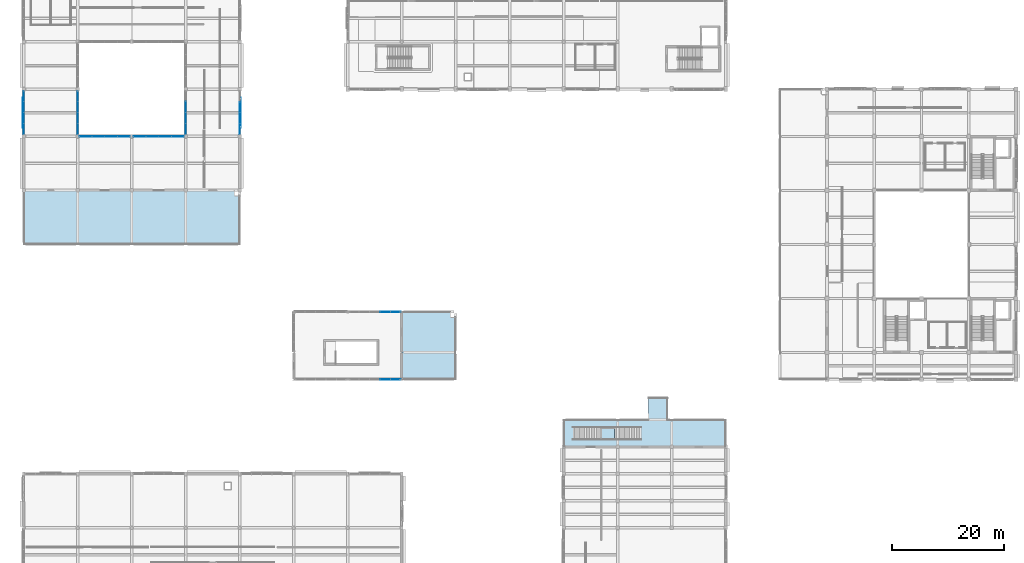
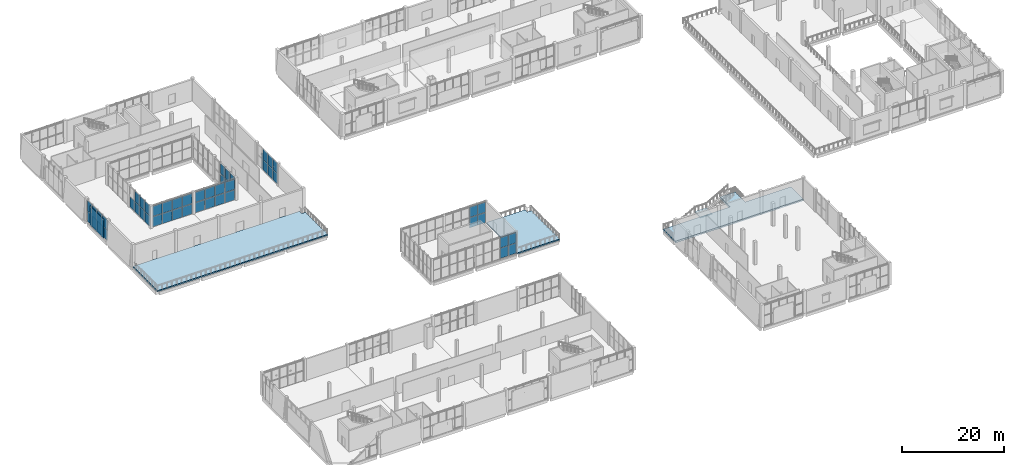
# One storey, part 46 of 83: 53 plates, 4 slabs, 9 elements without a shape of their own.
"""IFC4 building model written with IfcOpenShell, lengths in metres."""

from ifc_helpers import new_model, si_unit, direction, frame, origin, origin_2d, place, context, subcontext, project, spatial, polyline, rectangle, outline, extrude, material, layer, layer_set, type_object, element, aggregate, save


model = new_model("IFC4")

# Units and contexts
model_context = context("Model", 3, precision=1e-05, world=origin(), true_north=direction((0.0, 1.0)))
body_context = subcontext(model_context, "Body", "Model", "MODEL_VIEW")
ifc_project = project(units=[si_unit("LENGTHUNIT", "METRE"), si_unit("AREAUNIT", "SQUARE_METRE"), si_unit("VOLUMEUNIT", "CUBIC_METRE"), si_unit("PLANEANGLEUNIT", "RADIAN"), si_unit("MASSUNIT", "GRAM", prefix="KILO")], contexts=[model_context])

# Site, building, storey
site_placement = place(None, origin())
site = spatial("IfcSite", under=ifc_project, at=site_placement, CompositionType="ELEMENT")
building_placement = place(site_placement, origin())
building = spatial("IfcBuilding", under=site, at=building_placement, Name="Shalvenor Court Art Gallery", CompositionType="ELEMENT")
storey_placement = place(building_placement, frame((0.0, 0.0, 6.0)))
storey = spatial("IfcBuildingStorey", under=building, at=storey_placement, Name="L01", CompositionType="ELEMENT", Elevation=6.0)

# Curtain wall, plates
ifc_material_1 = material(Name="Anodised aluminium and low-iron glass curtain wall", Category="aluminium")
curtain_wall_type_1 = type_object("IfcCurtainWallType", Name="CW-4x2-78-51-441", PredefinedType="USERDEFINED", material=ifc_material_1)
curtain_wall_1_placement = place(storey_placement, origin())
curtain_wall_1 = element("IfcCurtainWall", 1, at=curtain_wall_1_placement, inside=storey, type_object=curtain_wall_type_1, Name="L01 V5 Curtain Wall CW-L01-170", ObjectType="CURTAIN WALL", PredefinedType="USERDEFINED")
ifc_material_2 = material(Name="Low-iron UV-laminated double glazing IGU", Category="glass")
ifc_layer_1 = layer(ifc_material_2, 0.028076171875, Name="Low-iron UV-laminated double glazing IGU")
ifc_layer_set_1 = layer_set([ifc_layer_1], Name="Low-iron UV-laminated double glazing IGU")
plate_type_1 = type_object("IfcPlateType", Name="CWP-01", PredefinedType="CURTAIN_PANEL", material=ifc_layer_set_1)
plate_1_placement = place(storey_placement, frame((38.39990234375, 93.97509765625, 0.070068359375), z_axis=(0.0, 0.0, 1.0), x_axis=(0.0, -1.0, 0.0)))
plate_1 = element("IfcPlate", 2, at=plate_1_placement, type_object=plate_type_1, Name="CW-4x2-78-51-441 panel 2.1", PredefinedType="CURTAIN_PANEL", context=body_context, shape_type="SweptSolid", body=[
    extrude(rectangle(XDim=1.875, YDim=0.028076171875, at=origin_2d()), origin(), (0.0, 0.0, 1.0), 2.43505859375),
])
plate_2_placement = place(storey_placement, frame((38.39990234375, 93.97509765625, 2.574951171875), z_axis=(0.0, 0.0, 1.0), x_axis=(0.0, -1.0, 0.0)))
plate_2 = element("IfcPlate", 3, at=plate_2_placement, type_object=plate_type_1, Name="CW-4x2-78-51-441 panel 2.2", PredefinedType="CURTAIN_PANEL", context=body_context, shape_type="SweptSolid", body=[
    extrude(rectangle(XDim=1.875, YDim=0.028076171875, at=origin_2d()), origin(), (0.0, 0.0, 1.0), 2.43505859375),
])
plate_3_placement = place(storey_placement, frame((38.39990234375, 92.02490234375, 0.070068359375), z_axis=(0.0, 0.0, 1.0), x_axis=(0.0, -1.0, 0.0)))
plate_3 = element("IfcPlate", 4, at=plate_3_placement, type_object=plate_type_1, Name="CW-4x2-78-51-441 panel 3.1", PredefinedType="CURTAIN_PANEL", context=body_context, shape_type="SweptSolid", body=[
    extrude(rectangle(XDim=1.875, YDim=0.028076171875, at=origin_2d()), origin(), (0.0, 0.0, 1.0), 2.43505859375),
])
plate_4_placement = place(storey_placement, frame((38.39990234375, 92.02490234375, 2.574951171875), z_axis=(0.0, 0.0, 1.0), x_axis=(0.0, -1.0, 0.0)))
plate_4 = element("IfcPlate", 5, at=plate_4_placement, type_object=plate_type_1, Name="CW-4x2-78-51-441 panel 3.2", PredefinedType="CURTAIN_PANEL", context=body_context, shape_type="SweptSolid", body=[
    extrude(rectangle(XDim=1.875, YDim=0.028076171875, at=origin_2d()), origin(), (0.0, 0.0, 1.0), 2.43505859375),
])
plate_5_placement = place(storey_placement, frame((38.39990234375, 90.09375, 0.070068359375), z_axis=(0.0, 0.0, 1.0), x_axis=(0.0, -1.0, 0.0)))
plate_5 = element("IfcPlate", 6, at=plate_5_placement, type_object=plate_type_1, Name="CW-4x2-78-51-441 panel 4.1", PredefinedType="CURTAIN_PANEL", context=body_context, shape_type="SweptSolid", body=[
    extrude(rectangle(XDim=1.83740234375, YDim=0.028076171875, at=origin_2d()), origin(), (0.0, 0.0, 1.0), 2.43505859375),
])
plate_6_placement = place(storey_placement, frame((38.39990234375, 90.09375, 2.574951171875), z_axis=(0.0, 0.0, 1.0), x_axis=(0.0, -1.0, 0.0)))
plate_6 = element("IfcPlate", 7, at=plate_6_placement, type_object=plate_type_1, Name="CW-4x2-78-51-441 panel 4.2", PredefinedType="CURTAIN_PANEL", context=body_context, shape_type="SweptSolid", body=[
    extrude(rectangle(XDim=1.83740234375, YDim=0.028076171875, at=origin_2d()), origin(), (0.0, 0.0, 1.0), 2.43505859375),
])
aggregate(curtain_wall_1, [plate_1, plate_2, plate_3, plate_4, plate_5, plate_6])

ifc_material_3 = material(Name="Anodised aluminium and low-iron glass curtain wall", Category="aluminium")
curtain_wall_type_2 = type_object("IfcCurtainWallType", Name="CW-4x2-78-51-611", PredefinedType="USERDEFINED", material=ifc_material_3)
curtain_wall_2_placement = place(storey_placement, origin())
curtain_wall_2 = element("IfcCurtainWall", 8, at=curtain_wall_2_placement, inside=storey, type_object=curtain_wall_type_2, Name="L01 V5 Curtain Wall CW-L01-171", ObjectType="CURTAIN WALL", PredefinedType="USERDEFINED")
plate_7_placement = place(storey_placement, frame((0.0, 90.0888671875, 0.06005859375), z_axis=(0.0, 0.0, 1.0), x_axis=(0.0, 1.0, 0.0)))
plate_7 = element("IfcPlate", 9, at=plate_7_placement, type_object=plate_type_1, Name="CW-4x2-78-51-611 panel 1.1", PredefinedType="CURTAIN_PANEL", context=body_context, shape_type="SweptSolid", body=[
    extrude(rectangle(XDim=1.867431640625, YDim=0.028076171875, at=origin_2d()), origin(), (0.0, 0.0, 1.0), 2.449951171875),
])
plate_8_placement = place(storey_placement, frame((0.0, 90.0888671875, 2.56982421875), z_axis=(0.0, 0.0, 1.0), x_axis=(0.0, 1.0, 0.0)))
plate_8 = element("IfcPlate", 10, at=plate_8_placement, type_object=plate_type_1, Name="CW-4x2-78-51-611 panel 1.2", PredefinedType="CURTAIN_PANEL", context=body_context, shape_type="SweptSolid", body=[
    extrude(rectangle(XDim=1.867431640625, YDim=0.028076171875, at=origin_2d()), origin(), (0.0, 0.0, 1.0), 2.449951171875),
])
plate_9_placement = place(storey_placement, frame((0.0, 92.02490234375, 0.06005859375), z_axis=(0.0, 0.0, 1.0), x_axis=(0.0, 1.0, 0.0)))
plate_9 = element("IfcPlate", 11, at=plate_9_placement, type_object=plate_type_1, Name="CW-4x2-78-51-611 panel 2.1", PredefinedType="CURTAIN_PANEL", context=body_context, shape_type="SweptSolid", body=[
    extrude(rectangle(XDim=1.89501953125, YDim=0.028076171875, at=origin_2d()), origin(), (0.0, 0.0, 1.0), 2.449951171875),
])
plate_10_placement = place(storey_placement, frame((0.0, 92.02490234375, 2.56982421875), z_axis=(0.0, 0.0, 1.0), x_axis=(0.0, 1.0, 0.0)))
plate_10 = element("IfcPlate", 12, at=plate_10_placement, type_object=plate_type_1, Name="CW-4x2-78-51-611 panel 2.2", PredefinedType="CURTAIN_PANEL", context=body_context, shape_type="SweptSolid", body=[
    extrude(rectangle(XDim=1.89501953125, YDim=0.028076171875, at=origin_2d()), origin(), (0.0, 0.0, 1.0), 2.449951171875),
])
plate_11_placement = place(storey_placement, frame((0.0, 93.97509765625, 0.06005859375), z_axis=(0.0, 0.0, 1.0), x_axis=(0.0, 1.0, 0.0)))
plate_11 = element("IfcPlate", 13, at=plate_11_placement, type_object=plate_type_1, Name="CW-4x2-78-51-611 panel 3.1", PredefinedType="CURTAIN_PANEL", context=body_context, shape_type="SweptSolid", body=[
    extrude(rectangle(XDim=1.89501953125, YDim=0.028076171875, at=origin_2d()), origin(), (0.0, 0.0, 1.0), 2.449951171875),
])
plate_12_placement = place(storey_placement, frame((0.0, 93.97509765625, 2.56982421875), z_axis=(0.0, 0.0, 1.0), x_axis=(0.0, 1.0, 0.0)))
plate_12 = element("IfcPlate", 14, at=plate_12_placement, type_object=plate_type_1, Name="CW-4x2-78-51-611 panel 3.2", PredefinedType="CURTAIN_PANEL", context=body_context, shape_type="SweptSolid", body=[
    extrude(rectangle(XDim=1.89501953125, YDim=0.028076171875, at=origin_2d()), origin(), (0.0, 0.0, 1.0), 2.449951171875),
])
plate_13_placement = place(storey_placement, frame((0.0, 95.9111328125, 0.06005859375), z_axis=(0.0, 0.0, 1.0), x_axis=(0.0, 1.0, 0.0)))
plate_13 = element("IfcPlate", 15, at=plate_13_placement, type_object=plate_type_1, Name="CW-4x2-78-51-611 panel 4.1", PredefinedType="CURTAIN_PANEL", context=body_context, shape_type="SweptSolid", body=[
    extrude(rectangle(XDim=1.867431640625, YDim=0.028076171875, at=origin_2d()), origin(), (0.0, 0.0, 1.0), 2.449951171875),
])
plate_14_placement = place(storey_placement, frame((0.0, 95.9111328125, 2.56982421875), z_axis=(0.0, 0.0, 1.0), x_axis=(0.0, 1.0, 0.0)))
plate_14 = element("IfcPlate", 16, at=plate_14_placement, type_object=plate_type_1, Name="CW-4x2-78-51-611 panel 4.2", PredefinedType="CURTAIN_PANEL", context=body_context, shape_type="SweptSolid", body=[
    extrude(rectangle(XDim=1.867431640625, YDim=0.028076171875, at=origin_2d()), origin(), (0.0, 0.0, 1.0), 2.449951171875),
])
aggregate(curtain_wall_2, [plate_7, plate_8, plate_9, plate_10, plate_11, plate_12, plate_13, plate_14])

ifc_material_4 = material(Name="Anodised aluminium and low-iron glass curtain wall", Category="aluminium")
curtain_wall_type_3 = type_object("IfcCurtainWallType", Name="CW-CT-4-90", PredefinedType="USERDEFINED", material=ifc_material_4)
curtain_wall_3_placement = place(storey_placement, origin())
curtain_wall_3 = element("IfcCurtainWall", 17, at=curtain_wall_3_placement, inside=storey, type_object=curtain_wall_type_3, Name="L01 Studios Courtyard Curtain Wall CW-CRT-L01-173", ObjectType="CURTAIN WALL", PredefinedType="USERDEFINED")
ifc_material_5 = material(Name="Acoustic laminated courtyard curtain glazing IGU", Category="glass")
ifc_layer_2 = layer(ifc_material_5, 0.0400390625, Name="Acoustic laminated courtyard curtain glazing IGU")
ifc_layer_set_2 = layer_set([ifc_layer_2], Name="Acoustic laminated courtyard curtain glazing IGU")
plate_type_2 = type_object("IfcPlateType", Name="CWP-05", PredefinedType="CURTAIN_PANEL", material=ifc_layer_set_2)
plate_15_placement = place(storey_placement, frame((11.038818359375, 88.800048828125, 0.06494140625), z_axis=(0.0, 0.0, 1.0), x_axis=(1.0, 0.0, 0.0)))
plate_15 = element("IfcPlate", 18, at=plate_15_placement, type_object=plate_type_2, Name="CW-CT-4-90 panel 1.1", PredefinedType="CURTAIN_PANEL", context=body_context, shape_type="SweptSolid", body=[
    extrude(rectangle(XDim=2.16748046875, YDim=0.0400390625, at=origin_2d()), origin(), (0.0, 0.0, 1.0), 2.4423828125),
])
plate_16_placement = place(storey_placement, frame((11.038818359375, 88.800048828125, 2.572509765625), z_axis=(0.0, 0.0, 1.0), x_axis=(1.0, 0.0, 0.0)))
plate_16 = element("IfcPlate", 19, at=plate_16_placement, type_object=plate_type_2, Name="CW-CT-4-90 panel 1.2", PredefinedType="CURTAIN_PANEL", context=body_context, shape_type="SweptSolid", body=[
    extrude(rectangle(XDim=2.16748046875, YDim=0.0400390625, at=origin_2d()), origin(), (0.0, 0.0, 1.0), 2.4423828125),
])
plate_17_placement = place(storey_placement, frame((13.27490234375, 88.800048828125, 0.06494140625), z_axis=(0.0, 0.0, 1.0), x_axis=(1.0, 0.0, 0.0)))
plate_17 = element("IfcPlate", 20, at=plate_17_placement, type_object=plate_type_2, Name="CW-CT-4-90 panel 2.1", PredefinedType="CURTAIN_PANEL", context=body_context, shape_type="SweptSolid", body=[
    extrude(rectangle(XDim=2.195068359375, YDim=0.0400390625, at=origin_2d()), origin(), (0.0, 0.0, 1.0), 2.4423828125),
])
plate_18_placement = place(storey_placement, frame((13.27490234375, 88.800048828125, 2.572509765625), z_axis=(0.0, 0.0, 1.0), x_axis=(1.0, 0.0, 0.0)))
plate_18 = element("IfcPlate", 21, at=plate_18_placement, type_object=plate_type_2, Name="CW-CT-4-90 panel 2.2", PredefinedType="CURTAIN_PANEL", context=body_context, shape_type="SweptSolid", body=[
    extrude(rectangle(XDim=2.195068359375, YDim=0.0400390625, at=origin_2d()), origin(), (0.0, 0.0, 1.0), 2.4423828125),
])
plate_19_placement = place(storey_placement, frame((15.52490234375, 88.800048828125, 0.06494140625), z_axis=(0.0, 0.0, 1.0), x_axis=(1.0, 0.0, 0.0)))
plate_19 = element("IfcPlate", 22, at=plate_19_placement, type_object=plate_type_2, Name="CW-CT-4-90 panel 3.1", PredefinedType="CURTAIN_PANEL", context=body_context, shape_type="SweptSolid", body=[
    extrude(rectangle(XDim=2.195068359375, YDim=0.0400390625, at=origin_2d()), origin(), (0.0, 0.0, 1.0), 2.4423828125),
])
plate_20_placement = place(storey_placement, frame((15.52490234375, 88.800048828125, 2.572509765625), z_axis=(0.0, 0.0, 1.0), x_axis=(1.0, 0.0, 0.0)))
plate_20 = element("IfcPlate", 23, at=plate_20_placement, type_object=plate_type_2, Name="CW-CT-4-90 panel 3.2", PredefinedType="CURTAIN_PANEL", context=body_context, shape_type="SweptSolid", body=[
    extrude(rectangle(XDim=2.195068359375, YDim=0.0400390625, at=origin_2d()), origin(), (0.0, 0.0, 1.0), 2.4423828125),
])
plate_21_placement = place(storey_placement, frame((17.76123046875, 88.800048828125, 0.06494140625), z_axis=(0.0, 0.0, 1.0), x_axis=(1.0, 0.0, 0.0)))
plate_21 = element("IfcPlate", 24, at=plate_21_placement, type_object=plate_type_2, Name="CW-CT-4-90 panel 4.1", PredefinedType="CURTAIN_PANEL", context=body_context, shape_type="SweptSolid", body=[
    extrude(rectangle(XDim=2.16748046875, YDim=0.0400390625, at=origin_2d()), origin(), (0.0, 0.0, 1.0), 2.4423828125),
])
plate_22_placement = place(storey_placement, frame((17.76123046875, 88.800048828125, 2.572509765625), z_axis=(0.0, 0.0, 1.0), x_axis=(1.0, 0.0, 0.0)))
plate_22 = element("IfcPlate", 25, at=plate_22_placement, type_object=plate_type_2, Name="CW-CT-4-90 panel 4.2", PredefinedType="CURTAIN_PANEL", context=body_context, shape_type="SweptSolid", body=[
    extrude(rectangle(XDim=2.16748046875, YDim=0.0400390625, at=origin_2d()), origin(), (0.0, 0.0, 1.0), 2.4423828125),
])
aggregate(curtain_wall_3, [plate_15, plate_16, plate_17, plate_18, plate_19, plate_20, plate_21, plate_22])

curtain_wall_4_placement = place(storey_placement, origin())
curtain_wall_4 = element("IfcCurtainWall", 26, at=curtain_wall_4_placement, inside=storey, type_object=curtain_wall_type_3, Name="L01 Studios Courtyard Curtain Wall CW-CRT-L01-174", ObjectType="CURTAIN WALL", PredefinedType="USERDEFINED")
plate_23_placement = place(storey_placement, frame((20.638671875, 88.800048828125, 0.06494140625), z_axis=(0.0, 0.0, 1.0), x_axis=(1.0, 0.0, 0.0)))
plate_23 = element("IfcPlate", 27, at=plate_23_placement, type_object=plate_type_2, Name="CW-CT-4-90 panel 1.1", PredefinedType="CURTAIN_PANEL", context=body_context, shape_type="SweptSolid", body=[
    extrude(rectangle(XDim=2.16748046875, YDim=0.0400390625, at=origin_2d()), origin(), (0.0, 0.0, 1.0), 2.4423828125),
])
plate_24_placement = place(storey_placement, frame((20.638671875, 88.800048828125, 2.572509765625), z_axis=(0.0, 0.0, 1.0), x_axis=(1.0, 0.0, 0.0)))
plate_24 = element("IfcPlate", 28, at=plate_24_placement, type_object=plate_type_2, Name="CW-CT-4-90 panel 1.2", PredefinedType="CURTAIN_PANEL", context=body_context, shape_type="SweptSolid", body=[
    extrude(rectangle(XDim=2.16748046875, YDim=0.0400390625, at=origin_2d()), origin(), (0.0, 0.0, 1.0), 2.4423828125),
])
plate_25_placement = place(storey_placement, frame((22.875, 88.800048828125, 0.06494140625), z_axis=(0.0, 0.0, 1.0), x_axis=(1.0, 0.0, 0.0)))
plate_25 = element("IfcPlate", 29, at=plate_25_placement, type_object=plate_type_2, Name="CW-CT-4-90 panel 2.1", PredefinedType="CURTAIN_PANEL", context=body_context, shape_type="SweptSolid", body=[
    extrude(rectangle(XDim=2.195068359375, YDim=0.0400390625, at=origin_2d()), origin(), (0.0, 0.0, 1.0), 2.4423828125),
])
plate_26_placement = place(storey_placement, frame((22.875, 88.800048828125, 2.572509765625), z_axis=(0.0, 0.0, 1.0), x_axis=(1.0, 0.0, 0.0)))
plate_26 = element("IfcPlate", 30, at=plate_26_placement, type_object=plate_type_2, Name="CW-CT-4-90 panel 2.2", PredefinedType="CURTAIN_PANEL", context=body_context, shape_type="SweptSolid", body=[
    extrude(rectangle(XDim=2.195068359375, YDim=0.0400390625, at=origin_2d()), origin(), (0.0, 0.0, 1.0), 2.4423828125),
])
plate_27_placement = place(storey_placement, frame((25.125, 88.800048828125, 0.06494140625), z_axis=(0.0, 0.0, 1.0), x_axis=(1.0, 0.0, 0.0)))
plate_27 = element("IfcPlate", 31, at=plate_27_placement, type_object=plate_type_2, Name="CW-CT-4-90 panel 3.1", PredefinedType="CURTAIN_PANEL", context=body_context, shape_type="SweptSolid", body=[
    extrude(rectangle(XDim=2.195068359375, YDim=0.0400390625, at=origin_2d()), origin(), (0.0, 0.0, 1.0), 2.4423828125),
])
plate_28_placement = place(storey_placement, frame((25.125, 88.800048828125, 2.572509765625), z_axis=(0.0, 0.0, 1.0), x_axis=(1.0, 0.0, 0.0)))
plate_28 = element("IfcPlate", 32, at=plate_28_placement, type_object=plate_type_2, Name="CW-CT-4-90 panel 3.2", PredefinedType="CURTAIN_PANEL", context=body_context, shape_type="SweptSolid", body=[
    extrude(rectangle(XDim=2.195068359375, YDim=0.0400390625, at=origin_2d()), origin(), (0.0, 0.0, 1.0), 2.4423828125),
])
plate_29_placement = place(storey_placement, frame((27.361328125, 88.800048828125, 0.06494140625), z_axis=(0.0, 0.0, 1.0), x_axis=(1.0, 0.0, 0.0)))
plate_29 = element("IfcPlate", 33, at=plate_29_placement, type_object=plate_type_2, Name="CW-CT-4-90 panel 4.1", PredefinedType="CURTAIN_PANEL", context=body_context, shape_type="SweptSolid", body=[
    extrude(rectangle(XDim=2.16748046875, YDim=0.0400390625, at=origin_2d()), origin(), (0.0, 0.0, 1.0), 2.4423828125),
])
plate_30_placement = place(storey_placement, frame((27.361328125, 88.800048828125, 2.572509765625), z_axis=(0.0, 0.0, 1.0), x_axis=(1.0, 0.0, 0.0)))
plate_30 = element("IfcPlate", 34, at=plate_30_placement, type_object=plate_type_2, Name="CW-CT-4-90 panel 4.2", PredefinedType="CURTAIN_PANEL", context=body_context, shape_type="SweptSolid", body=[
    extrude(rectangle(XDim=2.16748046875, YDim=0.0400390625, at=origin_2d()), origin(), (0.0, 0.0, 1.0), 2.4423828125),
])
aggregate(curtain_wall_4, [plate_23, plate_24, plate_25, plate_26, plate_27, plate_28, plate_29, plate_30])

ifc_material_6 = material(Name="Anodised aluminium and low-iron glass curtain wall", Category="aluminium")
curtain_wall_type_4 = type_object("IfcCurtainWallType", Name="CW-CT-4-78", PredefinedType="USERDEFINED", material=ifc_material_6)
curtain_wall_5_placement = place(storey_placement, origin())
curtain_wall_5 = element("IfcCurtainWall", 35, at=curtain_wall_5_placement, inside=storey, type_object=curtain_wall_type_4, Name="L01 Studios Courtyard Curtain Wall CW-CRT-L01-175", ObjectType="CURTAIN WALL", PredefinedType="USERDEFINED")
plate_31_placement = place(storey_placement, frame((28.800048828125, 90.0888671875, 0.06494140625), z_axis=(0.0, 0.0, 1.0), x_axis=(0.0, 1.0, 0.0)))
plate_31 = element("IfcPlate", 36, at=plate_31_placement, type_object=plate_type_2, Name="CW-CT-4-78 panel 1.1", PredefinedType="CURTAIN_PANEL", context=body_context, shape_type="SweptSolid", body=[
    extrude(rectangle(XDim=1.867431640625, YDim=0.0400390625, at=origin_2d()), origin(), (0.0, 0.0, 1.0), 2.4423828125),
])
plate_32_placement = place(storey_placement, frame((28.800048828125, 90.0888671875, 2.572509765625), z_axis=(0.0, 0.0, 1.0), x_axis=(0.0, 1.0, 0.0)))
plate_32 = element("IfcPlate", 37, at=plate_32_placement, type_object=plate_type_2, Name="CW-CT-4-78 panel 1.2", PredefinedType="CURTAIN_PANEL", context=body_context, shape_type="SweptSolid", body=[
    extrude(rectangle(XDim=1.867431640625, YDim=0.0400390625, at=origin_2d()), origin(), (0.0, 0.0, 1.0), 2.4423828125),
])
plate_33_placement = place(storey_placement, frame((28.800048828125, 92.02490234375, 0.06494140625), z_axis=(0.0, 0.0, 1.0), x_axis=(0.0, 1.0, 0.0)))
plate_33 = element("IfcPlate", 38, at=plate_33_placement, type_object=plate_type_2, Name="CW-CT-4-78 panel 2.1", PredefinedType="CURTAIN_PANEL", context=body_context, shape_type="SweptSolid", body=[
    extrude(rectangle(XDim=1.89501953125, YDim=0.0400390625, at=origin_2d()), origin(), (0.0, 0.0, 1.0), 2.4423828125),
])
plate_34_placement = place(storey_placement, frame((28.800048828125, 92.02490234375, 2.572509765625), z_axis=(0.0, 0.0, 1.0), x_axis=(0.0, 1.0, 0.0)))
plate_34 = element("IfcPlate", 39, at=plate_34_placement, type_object=plate_type_2, Name="CW-CT-4-78 panel 2.2", PredefinedType="CURTAIN_PANEL", context=body_context, shape_type="SweptSolid", body=[
    extrude(rectangle(XDim=1.89501953125, YDim=0.0400390625, at=origin_2d()), origin(), (0.0, 0.0, 1.0), 2.4423828125),
])
plate_35_placement = place(storey_placement, frame((28.800048828125, 93.97509765625, 0.06494140625), z_axis=(0.0, 0.0, 1.0), x_axis=(0.0, 1.0, 0.0)))
plate_35 = element("IfcPlate", 40, at=plate_35_placement, type_object=plate_type_2, Name="CW-CT-4-78 panel 3.1", PredefinedType="CURTAIN_PANEL", context=body_context, shape_type="SweptSolid", body=[
    extrude(rectangle(XDim=1.89501953125, YDim=0.0400390625, at=origin_2d()), origin(), (0.0, 0.0, 1.0), 2.4423828125),
])
plate_36_placement = place(storey_placement, frame((28.800048828125, 93.97509765625, 2.572509765625), z_axis=(0.0, 0.0, 1.0), x_axis=(0.0, 1.0, 0.0)))
plate_36 = element("IfcPlate", 41, at=plate_36_placement, type_object=plate_type_2, Name="CW-CT-4-78 panel 3.2", PredefinedType="CURTAIN_PANEL", context=body_context, shape_type="SweptSolid", body=[
    extrude(rectangle(XDim=1.89501953125, YDim=0.0400390625, at=origin_2d()), origin(), (0.0, 0.0, 1.0), 2.4423828125),
])
aggregate(curtain_wall_5, [plate_31, plate_32, plate_33, plate_34, plate_35, plate_36])

curtain_wall_6_placement = place(storey_placement, origin())
curtain_wall_6 = element("IfcCurtainWall", 42, at=curtain_wall_6_placement, inside=storey, type_object=curtain_wall_type_4, Name="L01 Studios Courtyard Curtain Wall CW-CRT-L01-180", ObjectType="CURTAIN WALL", PredefinedType="USERDEFINED")
plate_37_placement = place(storey_placement, frame((9.60009765625, 95.9111328125, 0.06494140625), z_axis=(0.0, 0.0, 1.0), x_axis=(0.0, -1.0, 0.0)))
plate_37 = element("IfcPlate", 43, at=plate_37_placement, type_object=plate_type_2, Name="CW-CT-4-78 panel 1.1", PredefinedType="CURTAIN_PANEL", context=body_context, shape_type="SweptSolid", body=[
    extrude(rectangle(XDim=1.867431640625, YDim=0.0400390625, at=origin_2d()), origin(), (0.0, 0.0, 1.0), 2.4423828125),
])
plate_38_placement = place(storey_placement, frame((9.60009765625, 93.97509765625, 0.06494140625), z_axis=(0.0, 0.0, 1.0), x_axis=(0.0, -1.0, 0.0)))
plate_38 = element("IfcPlate", 44, at=plate_38_placement, type_object=plate_type_2, Name="CW-CT-4-78 panel 2.1", PredefinedType="CURTAIN_PANEL", context=body_context, shape_type="SweptSolid", body=[
    extrude(rectangle(XDim=1.89501953125, YDim=0.0400390625, at=origin_2d()), origin(), (0.0, 0.0, 1.0), 2.4423828125),
])
plate_39_placement = place(storey_placement, frame((9.60009765625, 93.97509765625, 2.572509765625), z_axis=(0.0, 0.0, 1.0), x_axis=(0.0, -1.0, 0.0)))
plate_39 = element("IfcPlate", 45, at=plate_39_placement, type_object=plate_type_2, Name="CW-CT-4-78 panel 2.2", PredefinedType="CURTAIN_PANEL", context=body_context, shape_type="SweptSolid", body=[
    extrude(rectangle(XDim=1.89501953125, YDim=0.0400390625, at=origin_2d()), origin(), (0.0, 0.0, 1.0), 2.4423828125),
])
plate_40_placement = place(storey_placement, frame((9.60009765625, 92.02490234375, 0.06494140625), z_axis=(0.0, 0.0, 1.0), x_axis=(0.0, -1.0, 0.0)))
plate_40 = element("IfcPlate", 46, at=plate_40_placement, type_object=plate_type_2, Name="CW-CT-4-78 panel 3.1", PredefinedType="CURTAIN_PANEL", context=body_context, shape_type="SweptSolid", body=[
    extrude(rectangle(XDim=1.89501953125, YDim=0.0400390625, at=origin_2d()), origin(), (0.0, 0.0, 1.0), 2.4423828125),
])
plate_41_placement = place(storey_placement, frame((9.60009765625, 92.02490234375, 2.572509765625), z_axis=(0.0, 0.0, 1.0), x_axis=(0.0, -1.0, 0.0)))
plate_41 = element("IfcPlate", 47, at=plate_41_placement, type_object=plate_type_2, Name="CW-CT-4-78 panel 3.2", PredefinedType="CURTAIN_PANEL", context=body_context, shape_type="SweptSolid", body=[
    extrude(rectangle(XDim=1.89501953125, YDim=0.0400390625, at=origin_2d()), origin(), (0.0, 0.0, 1.0), 2.4423828125),
])
plate_42_placement = place(storey_placement, frame((9.60009765625, 90.0888671875, 0.06494140625), z_axis=(0.0, 0.0, 1.0), x_axis=(0.0, -1.0, 0.0)))
plate_42 = element("IfcPlate", 48, at=plate_42_placement, type_object=plate_type_2, Name="CW-CT-4-78 panel 4.1", PredefinedType="CURTAIN_PANEL", context=body_context, shape_type="SweptSolid", body=[
    extrude(rectangle(XDim=1.867431640625, YDim=0.0400390625, at=origin_2d()), origin(), (0.0, 0.0, 1.0), 2.4423828125),
])
plate_43_placement = place(storey_placement, frame((9.60009765625, 90.0888671875, 2.572509765625), z_axis=(0.0, 0.0, 1.0), x_axis=(0.0, -1.0, 0.0)))
plate_43 = element("IfcPlate", 49, at=plate_43_placement, type_object=plate_type_2, Name="CW-CT-4-78 panel 4.2", PredefinedType="CURTAIN_PANEL", context=body_context, shape_type="SweptSolid", body=[
    extrude(rectangle(XDim=1.867431640625, YDim=0.0400390625, at=origin_2d()), origin(), (0.0, 0.0, 1.0), 2.4423828125),
])
aggregate(curtain_wall_6, [plate_37, plate_38, plate_39, plate_40, plate_41, plate_42, plate_43])

ifc_material_7 = material(Name="Anodised aluminium and low-iron glass curtain wall", Category="aluminium")
curtain_wall_type_5 = type_object("IfcCurtainWallType", Name="CW-5x2-93-51-146", PredefinedType="USERDEFINED", material=ifc_material_7)
curtain_wall_7_placement = place(storey_placement, origin())
curtain_wall_7 = element("IfcCurtainWall", 50, at=curtain_wall_7_placement, inside=storey, type_object=curtain_wall_type_5, Name="L01 V6 Curtain Wall CW-L01-200", ObjectType="CURTAIN WALL", PredefinedType="USERDEFINED")
ifc_material_8 = material(Name="Solar-control laminated cloister glazing IGU", Category="glass")
ifc_layer_3 = layer(ifc_material_8, 0.0439453125, Name="Solar-control laminated cloister glazing IGU")
ifc_layer_set_3 = layer_set([ifc_layer_3], Name="Solar-control laminated cloister glazing IGU")
plate_type_3 = type_object("IfcPlateType", Name="CWP-06", PredefinedType="CURTAIN_PANEL", material=ifc_layer_set_3)
plate_44_placement = place(storey_placement, frame((64.260009765625, 57.60009765625, 0.070068359375), z_axis=(0.0, 0.0, 1.0), x_axis=(1.0, 0.0, 0.0)))
plate_44 = element("IfcPlate", 51, at=plate_44_placement, type_object=plate_type_3, Name="CW-5x2-93-51-146 panel 4.1", PredefinedType="CURTAIN_PANEL", context=body_context, shape_type="SweptSolid", body=[
    extrude(rectangle(XDim=1.794921875, YDim=0.0439453125, at=origin_2d()), origin(), (0.0, 0.0, 1.0), 2.43505859375),
])
plate_45_placement = place(storey_placement, frame((64.260009765625, 57.60009765625, 2.574951171875), z_axis=(0.0, 0.0, 1.0), x_axis=(1.0, 0.0, 0.0)))
plate_45 = element("IfcPlate", 52, at=plate_45_placement, type_object=plate_type_3, Name="CW-5x2-93-51-146 panel 4.2", PredefinedType="CURTAIN_PANEL", context=body_context, shape_type="SweptSolid", body=[
    extrude(rectangle(XDim=1.794921875, YDim=0.0439453125, at=origin_2d()), origin(), (0.0, 0.0, 1.0), 2.43505859375),
])
plate_46_placement = place(storey_placement, frame((66.103759765625, 57.60009765625, 0.070068359375), z_axis=(0.0, 0.0, 1.0), x_axis=(1.0, 0.0, 0.0)))
plate_46 = element("IfcPlate", 53, at=plate_46_placement, type_object=plate_type_3, Name="CW-5x2-93-51-146 panel 5.1", PredefinedType="CURTAIN_PANEL", context=body_context, shape_type="SweptSolid", body=[
    extrude(rectangle(XDim=1.762451171875, YDim=0.0439453125, at=origin_2d()), origin(), (0.0, 0.0, 1.0), 2.43505859375),
])
plate_47_placement = place(storey_placement, frame((66.103759765625, 57.60009765625, 2.574951171875), z_axis=(0.0, 0.0, 1.0), x_axis=(1.0, 0.0, 0.0)))
plate_47 = element("IfcPlate", 54, at=plate_47_placement, type_object=plate_type_3, Name="CW-5x2-93-51-146 panel 5.2", PredefinedType="CURTAIN_PANEL", context=body_context, shape_type="SweptSolid", body=[
    extrude(rectangle(XDim=1.762451171875, YDim=0.0439453125, at=origin_2d()), origin(), (0.0, 0.0, 1.0), 2.43505859375),
])
aggregate(curtain_wall_7, [plate_44, plate_45, plate_46, plate_47])

ifc_material_9 = material(Name="Anodised aluminium and low-iron glass curtain wall", Category="aluminium")
curtain_wall_type_6 = type_object("IfcCurtainWallType", Name="CW-5x2-93-51-216", PredefinedType="USERDEFINED", material=ifc_material_9)
curtain_wall_8_placement = place(storey_placement, origin())
curtain_wall_8 = element("IfcCurtainWall", 55, at=curtain_wall_8_placement, inside=storey, type_object=curtain_wall_type_6, Name="L01 V6 Curtain Wall CW-L01-201", ObjectType="CURTAIN WALL", PredefinedType="USERDEFINED")
plate_48_placement = place(storey_placement, frame((66.1025390625, 45.60009765625, 0.06005859375), z_axis=(0.0, 0.0, 1.0), x_axis=(-1.0, 0.0, 0.0)))
plate_48 = element("IfcPlate", 56, at=plate_48_placement, type_object=plate_type_3, Name="CW-5x2-93-51-216 panel 1.1", PredefinedType="CURTAIN_PANEL", context=body_context, shape_type="SweptSolid", body=[
    extrude(rectangle(XDim=1.7548828125, YDim=0.0439453125, at=origin_2d()), origin(), (0.0, 0.0, 1.0), 2.449951171875),
])
plate_49_placement = place(storey_placement, frame((66.1025390625, 45.60009765625, 2.56982421875), z_axis=(0.0, 0.0, 1.0), x_axis=(-1.0, 0.0, 0.0)))
plate_49 = element("IfcPlate", 57, at=plate_49_placement, type_object=plate_type_3, Name="CW-5x2-93-51-216 panel 1.2", PredefinedType="CURTAIN_PANEL", context=body_context, shape_type="SweptSolid", body=[
    extrude(rectangle(XDim=1.7548828125, YDim=0.0439453125, at=origin_2d()), origin(), (0.0, 0.0, 1.0), 2.449951171875),
])
plate_50_placement = place(storey_placement, frame((64.260009765625, 45.60009765625, 0.06005859375), z_axis=(0.0, 0.0, 1.0), x_axis=(-1.0, 0.0, 0.0)))
plate_50 = element("IfcPlate", 58, at=plate_50_placement, type_object=plate_type_3, Name="CW-5x2-93-51-216 panel 2.1", PredefinedType="CURTAIN_PANEL", context=body_context, shape_type="SweptSolid", body=[
    extrude(rectangle(XDim=1.7900390625, YDim=0.0439453125, at=origin_2d()), origin(), (0.0, 0.0, 1.0), 2.449951171875),
])
plate_51_placement = place(storey_placement, frame((64.260009765625, 45.60009765625, 2.56982421875), z_axis=(0.0, 0.0, 1.0), x_axis=(-1.0, 0.0, 0.0)))
plate_51 = element("IfcPlate", 59, at=plate_51_placement, type_object=plate_type_3, Name="CW-5x2-93-51-216 panel 2.2", PredefinedType="CURTAIN_PANEL", context=body_context, shape_type="SweptSolid", body=[
    extrude(rectangle(XDim=1.7900390625, YDim=0.0439453125, at=origin_2d()), origin(), (0.0, 0.0, 1.0), 2.449951171875),
])
aggregate(curtain_wall_8, [plate_48, plate_49, plate_50, plate_51])

# Plates
ifc_material_10 = material(Name="Perforated pale limestone GRC lattice", Category="masonry")
ifc_layer_4 = layer(ifc_material_10, 0.090087890625, Name="Perforated pale limestone GRC lattice")
ifc_layer_set_4 = layer_set([ifc_layer_4], Name="Perforated pale limestone GRC lattice")
plate_type_4 = type_object("IfcPlateType", Name="SCR-03", PredefinedType="USERDEFINED", material=ifc_layer_set_4)
plate_52_placement = place(storey_placement, frame((38.552978515625, 93.0, 0.0), z_axis=(0.0, 0.0, 1.0), x_axis=(0.0, -1.0, 0.0)))
element("IfcPlate", 60, at=plate_52_placement, inside=storey, type_object=plate_type_4, Name="L01 V5 Perforated Stone Lattice Screen PLT-SCR-0147", ObjectType="SCREEN", PredefinedType="USERDEFINED", context=body_context, shape_type="SweptSolid", body=[
    extrude(rectangle(XDim=5.39990234375, YDim=0.090087890625, at=origin_2d()), origin(), (0.0, 0.0, 1.0), 3.60009765625),
])
ifc_material_11 = material(Name="Perforated pale limestone GRC lattice", Category="masonry")
ifc_layer_5 = layer(ifc_material_11, 0.090087890625, Name="Perforated pale limestone GRC lattice")
ifc_layer_set_5 = layer_set([ifc_layer_5], Name="Perforated pale limestone GRC lattice")
plate_type_5 = type_object("IfcPlateType", Name="SCR-04", PredefinedType="USERDEFINED", material=ifc_layer_set_5)
plate_53_placement = place(storey_placement, frame((-0.113037109375, 93.0, 0.0), z_axis=(0.0, 0.0, 1.0), x_axis=(0.0, 1.0, 0.0)))
element("IfcPlate", 61, at=plate_53_placement, inside=storey, type_object=plate_type_5, Name="L01 V5 Perforated Stone Lattice Screen PLT-SCR-0148", ObjectType="SCREEN", PredefinedType="USERDEFINED", context=body_context, shape_type="SweptSolid", body=[
    extrude(rectangle(XDim=5.39990234375, YDim=0.090087890625, at=origin_2d()), origin(), (0.0, 0.0, 1.0), 4.5),
])

# Stair, slab
ifc_material_12 = material(Name="Concrete C40/50", Category="concrete")
stair_type = type_object("IfcStairType", Name="ST-T3-TP", PredefinedType="STRAIGHT_RUN_STAIR", material=ifc_material_12)
stair_placement = place(storey_placement, origin())
stair = element("IfcStair", 62, at=stair_placement, inside=storey, type_object=stair_type, Name="Sculpture Terrace Stair 3", PredefinedType="STRAIGHT_RUN_STAIR")
ifc_material_13 = material(Name="Concrete C40/50", Category="concrete")
ifc_layer_6 = layer(ifc_material_13, 0.219970703125, Name="Concrete C40/50")
ifc_layer_set_6 = layer_set([ifc_layer_6], Name="Concrete C40/50")
slab_type_1 = type_object("IfcSlabType", Name="SLD-220", PredefinedType="LANDING", material=ifc_layer_set_6)
slab_1_placement = place(storey_placement, frame((0.0, 0.0, 2.47998046875)))
slab_1 = element("IfcSlab", 63, at=slab_1_placement, type_object=slab_type_1, Name="ST-T3-TP landing 1", PredefinedType="LANDING", context=body_context, shape_type="SweptSolid", body=[
    extrude(outline(polyline([(102.39990234375, 34.85009765625), (105.0, 34.85009765625), (105.0, 37.14990234375), (102.39990234375, 37.14990234375), (102.39990234375, 34.85009765625)])), origin(), (0.0, 0.0, 1.0), 0.219970703125),
])
aggregate(stair, [slab_1])

# Slabs
ifc_material_14 = material(Name="Concrete C40/50", Category="concrete")
ifc_layer_7 = layer(ifc_material_14, 0.300048828125, Name="Concrete C40/50")
ifc_layer_set_7 = layer_set([ifc_layer_7], Name="Concrete C40/50")
slab_type_2 = type_object("IfcSlabType", Name="TS-300", PredefinedType="FLOOR", material=ifc_layer_set_7)
slab_2_placement = place(storey_placement, frame((0.0, 0.0, -0.300048828125)))
element("IfcSlab", 64, at=slab_2_placement, inside=storey, type_object=slab_type_2, Name="L01 V5 Outdoor Sculpture Terrace", PredefinedType="FLOOR", context=body_context, shape_type="SweptSolid", body=[
    extrude(outline(polyline([(38.39990234375, 69.60009765625), (0.0, 69.60009765625), (0.0, 79.199951171875), (37.5, 79.199951171875), (37.5, 78.300048828125), (38.39990234375, 78.300048828125), (38.39990234375, 69.60009765625)])), origin(), (0.0, 0.0, 1.0), 0.300048828125),
])
slab_3_placement = place(storey_placement, frame((0.0, 0.0, -0.300048828125)))
element("IfcSlab", 65, at=slab_3_placement, inside=storey, type_object=slab_type_2, Name="L01 V6 Outdoor Sculpture Terrace", PredefinedType="FLOOR", context=body_context, shape_type="SweptSolid", body=[
    extrude(outline(polyline([(76.800048828125, 45.60009765625), (67.199951171875, 45.60009765625), (67.199951171875, 57.60009765625), (75.89990234375, 57.60009765625), (75.89990234375, 56.699951171875), (76.800048828125, 56.699951171875), (76.800048828125, 45.60009765625)])), origin(), (0.0, 0.0, 1.0), 0.300048828125),
])
ifc_material_15 = material(Name="Concrete C40/50", Category="concrete")
ifc_layer_8 = layer(ifc_material_15, 0.419921875, Name="Concrete C40/50")
ifc_layer_set_8 = layer_set([ifc_layer_8], Name="Concrete C40/50")
slab_type_3 = type_object("IfcSlabType", Name="TS-420", PredefinedType="FLOOR", material=ifc_layer_set_8)
slab_4_placement = place(storey_placement, frame((0.0, 0.0, -0.419921875)))
element("IfcSlab", 66, at=slab_4_placement, inside=storey, type_object=slab_type_3, Name="L01 V3 Outdoor Sculpture Terrace", PredefinedType="FLOOR", context=body_context, shape_type="SweptSolid", body=[
    extrude(outline(polyline([(124.800048828125, 38.39990234375), (124.800048828125, 33.60009765625), (114.5, 33.60009765625), (111.050048828125, 33.60009765625), (96.0, 33.60009765625), (96.0, 38.39990234375), (111.050048828125, 38.39990234375), (111.050048828125, 42.35009765625), (114.5, 42.35009765625), (114.5, 38.39990234375), (124.800048828125, 38.39990234375)])), origin(), (0.0, 0.0, 1.0), 0.419921875),
])

save(model, "model.ifc")
